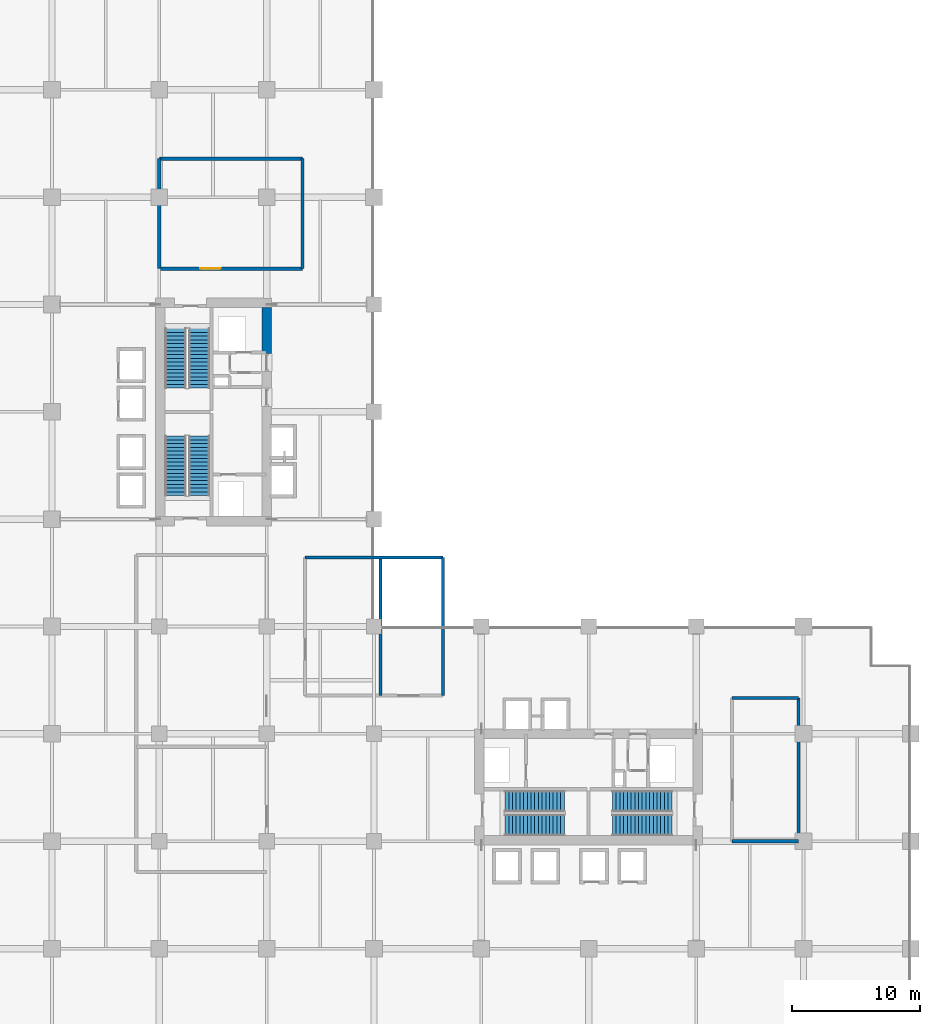
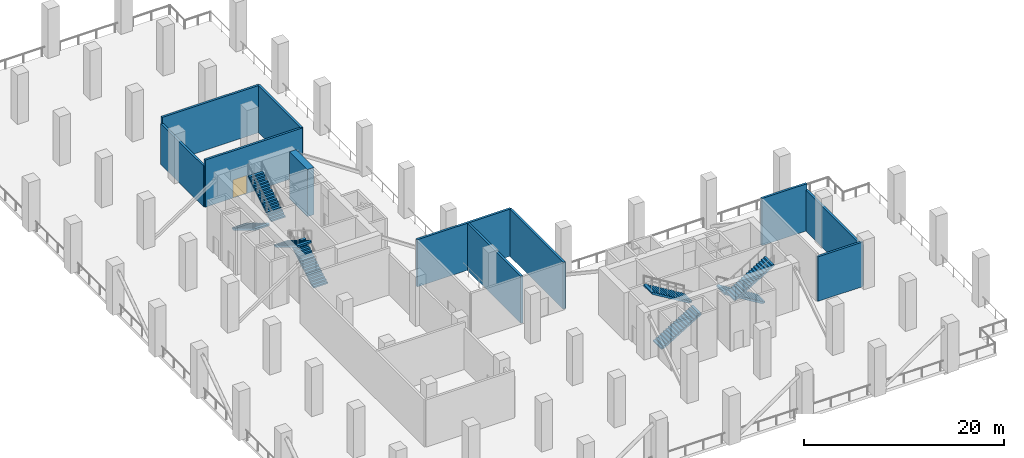
# One storey, part 14 of 19: 11 walls, 8 stair flights, 1 door, 1 opening, 4 elements without a shape of their own.
"""IFC4 building model written with IfcOpenShell, lengths in metres."""

from ifc_helpers import new_model, si_unit, direction, frame, frame_2d, origin, place, context, subcontext, project, spatial, polyline, rectangle, outline, extrude, material, layer, layer_set, type_object, element, fill, aggregate, save


model = new_model("IFC4")

# Units and contexts
model_context = context("Model", 3, precision=1e-05, world=origin(), true_north=direction((0.0, 1.0)))
body_context = subcontext(model_context, "Body", "Model", "MODEL_VIEW")
ifc_project = project(units=[si_unit("LENGTHUNIT", "METRE"), si_unit("AREAUNIT", "SQUARE_METRE"), si_unit("VOLUMEUNIT", "CUBIC_METRE"), si_unit("PLANEANGLEUNIT", "RADIAN"), si_unit("MASSUNIT", "GRAM", prefix="KILO")], contexts=[model_context])

# Site, building, storey
site_placement = place(None, origin())
site = spatial("IfcSite", under=ifc_project, at=site_placement, CompositionType="ELEMENT")
building_placement = place(site_placement, origin())
building = spatial("IfcBuilding", under=site, at=building_placement, Name="Koriwani Terraces Tower", CompositionType="ELEMENT")
storey_placement = place(building_placement, frame((0.0, 0.0, 94.0)))
storey = spatial("IfcBuildingStorey", under=building, at=storey_placement, Name="L22", CompositionType="ELEMENT", Elevation=94.0)

# Wall
ifc_material_1 = material(Name="Concrete C60/75", Category="concrete")
ifc_layer_1 = layer(ifc_material_1, 0.75, Name="Concrete C60/75")
ifc_layer_set_1 = layer_set([ifc_layer_1], Name="Concrete C60/75")
wall_type_1 = type_object("IfcWallType", Name="WALL_CORE_RC_750", PredefinedType="SHEAR", material=ifc_layer_set_1)
wall_1_placement = place(storey_placement, frame((25.199951171875, 54.949951171875, 0.0), z_axis=(0.0, 0.0, 1.0), x_axis=(0.0, 1.0, 0.0)))
element("IfcWall", 1, at=wall_1_placement, inside=storey, type_object=wall_type_1, Name="L22 West Split Core Shear Wall E3", PredefinedType="SHEAR", context=body_context, shape_type="SweptSolid", body=[
    extrude(rectangle(XDim=3.60009765625, YDim=0.75, at=frame_2d((1.800048828125, 0.0))), origin(), (0.0, 0.0, 1.0), 5.75),
])

# Wall, opening, door
ifc_material_2 = material(Name="Concrete C40/50", Category="concrete")
ifc_layer_2 = layer(ifc_material_2, 0.25, Name="Concrete C40/50")
ifc_layer_set_2 = layer_set([ifc_layer_2], Name="Concrete C40/50")
wall_type_2 = type_object("IfcWallType", Name="WALL_SHAFT_RATED_250", PredefinedType="SOLIDWALL", material=ifc_layer_set_2)
wall_2_placement = place(storey_placement, frame((16.800048828125, 61.60009765625, 0.0), z_axis=(0.0, 0.0, 1.0), x_axis=(1.0, 0.0, 0.0)))
wall_2 = element("IfcWall", 2, at=wall_2_placement, inside=storey, type_object=wall_type_2, Name="L22 Interior Wall WREF-W1-L22", PredefinedType="SOLIDWALL", context=body_context, shape_type="SweptSolid", body=[
    extrude(rectangle(XDim=11.199951171875, YDim=0.25, at=frame_2d((5.60009765625, 0.0))), origin(), (0.0, 0.0, 1.0), 5.75),
])
opening_placement = place(wall_2_placement, frame((3.199951171875, 0.0, 0.0)))
opening = element("IfcOpeningElement", 3, at=opening_placement, cuts=wall_2, Name="Opening D-08", PredefinedType="OPENING", context=body_context, shape_type="SweptSolid", body=[
    extrude(rectangle(XDim=1.60009765625, YDim=2.199951171875, at=frame_2d((0.800048828125, 1.10009765625))), frame((0.0, 0.135009765625, 0.0), z_axis=(0.0, -1.0, 0.0), x_axis=(1.0, 0.0, 0.0)), (0.0, 0.0, 1.0), 0.27001953125),
])
ifc_material_3 = material(Name="Steel ASTM A572 Grade 50", Category="steel")
door_type = type_object("IfcDoorType", Name="DOOR_PLANT_DOUBLE_1600X2200", OperationType="NOTDEFINED", PredefinedType="DOOR", material=ifc_material_3)
door_placement = place(opening_placement, origin())
door = element("IfcDoor", 4, at=door_placement, inside=storey, type_object=door_type, Name="L22 West Fire Refuge Area Door", OperationType="SINGLE_SWING_RIGHT", OverallHeight=2.199951171875, OverallWidth=1.60009765625, PredefinedType="DOOR", context=body_context, shape_type="SweptSolid", body=[
    extrude(rectangle(XDim=1.60009765625, YDim=2.199951171875, at=frame_2d((0.800048828125, 1.10009765625))), frame((0.0, 0.02490234375, 0.0), z_axis=(0.0, -1.0, 0.0), x_axis=(1.0, 0.0, 0.0)), (0.0, 0.0, 1.0), 0.050048828125),
])
fill(opening, door)

# Walls
wall_3_placement = place(storey_placement, frame((16.800048828125, 70.199951171875, 0.0), z_axis=(0.0, 0.0, 1.0), x_axis=(1.0, 0.0, 0.0)))
element("IfcWall", 5, at=wall_3_placement, inside=storey, type_object=wall_type_2, Name="L22 Interior Wall WREF-W2-L22", PredefinedType="SOLIDWALL", context=body_context, shape_type="SweptSolid", body=[
    extrude(rectangle(XDim=11.199951171875, YDim=0.25, at=frame_2d((5.60009765625, 0.0))), origin(), (0.0, 0.0, 1.0), 5.75),
])
wall_4_placement = place(storey_placement, frame((16.800048828125, 61.60009765625, 0.0), z_axis=(0.0, 0.0, 1.0), x_axis=(0.0, 1.0, 0.0)))
element("IfcWall", 6, at=wall_4_placement, inside=storey, type_object=wall_type_2, Name="L22 Interior Wall WREF-W3-L22", PredefinedType="SOLIDWALL", context=body_context, shape_type="SweptSolid", body=[
    extrude(rectangle(XDim=8.599853515625, YDim=0.25, at=frame_2d((4.2998046875, 0.0))), origin(), (0.0, 0.0, 1.0), 5.0),
])
wall_5_placement = place(storey_placement, frame((28.0, 61.60009765625, 0.0), z_axis=(0.0, 0.0, 1.0), x_axis=(0.0, 1.0, 0.0)))
element("IfcWall", 7, at=wall_5_placement, inside=storey, type_object=wall_type_2, Name="L22 Interior Wall WREF-W4-L22", PredefinedType="SOLIDWALL", context=body_context, shape_type="SweptSolid", body=[
    extrude(rectangle(XDim=8.599853515625, YDim=0.25, at=frame_2d((4.2998046875, 0.0))), origin(), (0.0, 0.0, 1.0), 5.75),
])
wall_6_placement = place(storey_placement, frame((66.800048828125, 16.800048828125, 0.0), z_axis=(0.0, 0.0, 1.0), x_axis=(0.0, 1.0, 0.0)))
element("IfcWall", 8, at=wall_6_placement, inside=storey, type_object=wall_type_2, Name="L22 Interior Wall WREF-E2-L22", PredefinedType="SOLIDWALL", context=body_context, shape_type="SweptSolid", body=[
    extrude(rectangle(XDim=11.199951171875, YDim=0.25, at=frame_2d((5.60009765625, 0.0))), origin(), (0.0, 0.0, 1.0), 5.0),
])
wall_7_placement = place(storey_placement, frame((61.60009765625, 16.800048828125, 0.0), z_axis=(0.0, 0.0, 1.0), x_axis=(1.0, 0.0, 0.0)))
element("IfcWall", 9, at=wall_7_placement, inside=storey, type_object=wall_type_2, Name="L22 Interior Wall WREF-E3-L22", PredefinedType="SOLIDWALL", context=body_context, shape_type="SweptSolid", body=[
    extrude(rectangle(XDim=5.199951171875, YDim=0.25, at=frame_2d((2.60009765625, 0.0))), origin(), (0.0, 0.0, 1.0), 5.43994140625),
])
wall_8_placement = place(storey_placement, frame((61.60009765625, 28.0, 0.0), z_axis=(0.0, 0.0, 1.0), x_axis=(1.0, 0.0, 0.0)))
element("IfcWall", 10, at=wall_8_placement, inside=storey, type_object=wall_type_2, Name="L22 Interior Wall WREF-E4-L22", PredefinedType="SOLIDWALL", context=body_context, shape_type="SweptSolid", body=[
    extrude(rectangle(XDim=5.199951171875, YDim=0.25, at=frame_2d((2.60009765625, 0.0))), origin(), (0.0, 0.0, 1.0), 5.75),
])
for number, where, z_axis, x_axis, name in (
    (11, (39.0, 28.199951171875, 0.0), (0.0, 0.0, 1.0), (0.0, 1.0, 0.0), "L22 Interior Wall WPL2-L22-E"),
    (12, (28.199951171875, 39.0, 0.0), (0.0, 0.0, 1.0), (1.0, 0.0, 0.0), "L22 Interior Wall WPL2-L22-N"),
    (13, (34.10009765625, 28.199951171875, 0.0), (0.0, 0.0, 1.0), (0.0, 1.0, 0.0), "L22 Interior Wall WPL2-L22-M"),
):
    element("IfcWall", number, at=place(storey_placement, frame(where, z_axis=z_axis, x_axis=x_axis)), inside=storey, type_object=wall_type_2, Name=name, PredefinedType="SOLIDWALL", context=body_context, shape_type="SweptSolid", body=[
        extrude(rectangle(XDim=10.800048828125, YDim=0.25, at=frame_2d((5.39990234375, 0.0))), origin(), (0.0, 0.0, 1.0), 5.75),
    ])

# Stair, stair flights
stair_type = type_object("IfcStairType", Name="STAIR_CORE_DOGLEG_1650", PredefinedType="TWO_STRAIGHT_RUN_STAIR", material=ifc_material_2)
stair_1_placement = place(storey_placement, origin())
stair_1 = element("IfcStair", 14, at=stair_1_placement, inside=storey, type_object=stair_type, Name="L22 West Core Exit Stair 1", PredefinedType="HALF_TURN_STAIR")
stair_flight_type = type_object("IfcStairFlightType", Name="STAIR_FLIGHT_RC_1650", PredefinedType="STRAIGHT", material=ifc_material_2)
stair_flight_1_placement = place(storey_placement, frame((19.925048828125, 43.85009765625, 0.0), z_axis=(0.0, 0.0, 1.0), x_axis=(0.0, 1.0, 0.0)))
stair_flight_1 = element("IfcStairFlight", 15, at=stair_flight_1_placement, type_object=stair_flight_type, Name="ST-W1 flight 1", NumberOfRisers=17, NumberOfTreads=16, PredefinedType="STRAIGHT", RiserHeight=0.176470588, TreadLength=0.29, context=body_context, shape_type="SweptSolid", body=[
    extrude(outline(polyline([(0.0, 0.0), (0.0, 0.176513671875), (0.2900390625, 0.176513671875), (0.2900390625, 0.35302734375), (0.580078125, 0.35302734375), (0.580078125, 0.529296875), (0.8701171875, 0.529296875), (0.8701171875, 0.705810546875), (1.159912109375, 0.705810546875), (1.159912109375, 0.88232421875), (1.449951171875, 0.88232421875), (1.449951171875, 1.058837890625), (1.739990234375, 1.058837890625), (1.739990234375, 1.2353515625), (2.030029296875, 1.2353515625), (2.030029296875, 1.411865234375), (2.320068359375, 1.411865234375), (2.320068359375, 1.588134765625), (2.610107421875, 1.588134765625), (2.610107421875, 1.7646484375), (2.89990234375, 1.7646484375), (2.89990234375, 1.941162109375), (3.18994140625, 1.941162109375), (3.18994140625, 2.11767578125), (3.47998046875, 2.11767578125), (3.47998046875, 2.294189453125), (3.77001953125, 2.294189453125), (3.77001953125, 2.470703125), (4.06005859375, 2.470703125), (4.06005859375, 2.64697265625), (4.35009765625, 2.64697265625), (4.35009765625, 2.823486328125), (4.639892578125, 2.823486328125), (4.639892578125, 3.0), (4.639892578125, 2.61279296875), (0.34619140625, 0.0), (0.0, 0.0)])), frame((0.0, 0.824951171875, 0.0), z_axis=(0.0, -1.0, 0.0), x_axis=(1.0, 0.0, 0.0)), (0.0, 0.0, 1.0), 1.64990234375),
])
stair_flight_2_placement = place(storey_placement, frame((18.074951171875, 48.489990234375, 3.0), z_axis=(0.0, 0.0, 1.0), x_axis=(0.0, -1.0, 0.0)))
stair_flight_2 = element("IfcStairFlight", 16, at=stair_flight_2_placement, type_object=stair_flight_type, Name="ST-W1 flight 2", NumberOfRisers=17, NumberOfTreads=16, PredefinedType="STRAIGHT", RiserHeight=0.176470588, TreadLength=0.29, context=body_context, shape_type="SweptSolid", body=[
    extrude(outline(polyline([(0.0, 0.0), (0.0, 0.176513671875), (0.2900390625, 0.176513671875), (0.2900390625, 0.35302734375), (0.580078125, 0.35302734375), (0.580078125, 0.529296875), (0.8701171875, 0.529296875), (0.8701171875, 0.705810546875), (1.159912109375, 0.705810546875), (1.159912109375, 0.88232421875), (1.449951171875, 0.88232421875), (1.449951171875, 1.058837890625), (1.739990234375, 1.058837890625), (1.739990234375, 1.2353515625), (2.030029296875, 1.2353515625), (2.030029296875, 1.411865234375), (2.320068359375, 1.411865234375), (2.320068359375, 1.588134765625), (2.610107421875, 1.588134765625), (2.610107421875, 1.7646484375), (2.89990234375, 1.7646484375), (2.89990234375, 1.941162109375), (3.18994140625, 1.941162109375), (3.18994140625, 2.11767578125), (3.47998046875, 2.11767578125), (3.47998046875, 2.294189453125), (3.77001953125, 2.294189453125), (3.77001953125, 2.470703125), (4.06005859375, 2.470703125), (4.06005859375, 2.64697265625), (4.35009765625, 2.64697265625), (4.35009765625, 2.823486328125), (4.639892578125, 2.823486328125), (4.639892578125, 3.0), (4.639892578125, 2.61279296875), (0.34619140625, 0.0), (0.0, 0.0)])), frame((0.0, 0.824951171875, 0.0), z_axis=(0.0, -1.0, 0.0), x_axis=(1.0, 0.0, 0.0)), (0.0, 0.0, 1.0), 1.64990234375),
])
aggregate(stair_1, [stair_flight_1, stair_flight_2])

stair_2_placement = place(storey_placement, origin())
stair_2 = element("IfcStair", 17, at=stair_2_placement, inside=storey, type_object=stair_type, Name="L22 West Core Exit Stair 2", PredefinedType="HALF_TURN_STAIR")
stair_flight_3_placement = place(storey_placement, frame((18.074951171875, 56.89990234375, 0.0), z_axis=(0.0, 0.0, 1.0), x_axis=(0.0, -1.0, 0.0)))
stair_flight_3 = element("IfcStairFlight", 18, at=stair_flight_3_placement, type_object=stair_flight_type, Name="ST-W2 flight 1", NumberOfRisers=17, NumberOfTreads=16, PredefinedType="STRAIGHT", RiserHeight=0.176470588, TreadLength=0.29, context=body_context, shape_type="SweptSolid", body=[
    extrude(outline(polyline([(0.0, 0.0), (0.0, 0.176513671875), (0.2900390625, 0.176513671875), (0.2900390625, 0.35302734375), (0.580078125, 0.35302734375), (0.580078125, 0.529296875), (0.8701171875, 0.529296875), (0.8701171875, 0.705810546875), (1.159912109375, 0.705810546875), (1.159912109375, 0.88232421875), (1.449951171875, 0.88232421875), (1.449951171875, 1.058837890625), (1.739990234375, 1.058837890625), (1.739990234375, 1.2353515625), (2.030029296875, 1.2353515625), (2.030029296875, 1.411865234375), (2.320068359375, 1.411865234375), (2.320068359375, 1.588134765625), (2.610107421875, 1.588134765625), (2.610107421875, 1.7646484375), (2.89990234375, 1.7646484375), (2.89990234375, 1.941162109375), (3.18994140625, 1.941162109375), (3.18994140625, 2.11767578125), (3.47998046875, 2.11767578125), (3.47998046875, 2.294189453125), (3.77001953125, 2.294189453125), (3.77001953125, 2.470703125), (4.06005859375, 2.470703125), (4.06005859375, 2.64697265625), (4.35009765625, 2.64697265625), (4.35009765625, 2.823486328125), (4.639892578125, 2.823486328125), (4.639892578125, 3.0), (4.639892578125, 2.61279296875), (0.34619140625, 0.0), (0.0, 0.0)])), frame((0.0, 0.824951171875, 0.0), z_axis=(0.0, -1.0, 0.0), x_axis=(1.0, 0.0, 0.0)), (0.0, 0.0, 1.0), 1.64990234375),
])
stair_flight_4_placement = place(storey_placement, frame((19.925048828125, 52.260009765625, 3.0), z_axis=(0.0, 0.0, 1.0), x_axis=(0.0, 1.0, 0.0)))
stair_flight_4 = element("IfcStairFlight", 19, at=stair_flight_4_placement, type_object=stair_flight_type, Name="ST-W2 flight 2", NumberOfRisers=17, NumberOfTreads=16, PredefinedType="STRAIGHT", RiserHeight=0.176470588, TreadLength=0.29, context=body_context, shape_type="SweptSolid", body=[
    extrude(outline(polyline([(0.0, 0.0), (0.0, 0.176513671875), (0.2900390625, 0.176513671875), (0.2900390625, 0.35302734375), (0.580078125, 0.35302734375), (0.580078125, 0.529296875), (0.8701171875, 0.529296875), (0.8701171875, 0.705810546875), (1.159912109375, 0.705810546875), (1.159912109375, 0.88232421875), (1.449951171875, 0.88232421875), (1.449951171875, 1.058837890625), (1.739990234375, 1.058837890625), (1.739990234375, 1.2353515625), (2.030029296875, 1.2353515625), (2.030029296875, 1.411865234375), (2.320068359375, 1.411865234375), (2.320068359375, 1.588134765625), (2.610107421875, 1.588134765625), (2.610107421875, 1.7646484375), (2.89990234375, 1.7646484375), (2.89990234375, 1.941162109375), (3.18994140625, 1.941162109375), (3.18994140625, 2.11767578125), (3.47998046875, 2.11767578125), (3.47998046875, 2.294189453125), (3.77001953125, 2.294189453125), (3.77001953125, 2.470703125), (4.06005859375, 2.470703125), (4.06005859375, 2.64697265625), (4.35009765625, 2.64697265625), (4.35009765625, 2.823486328125), (4.639892578125, 2.823486328125), (4.639892578125, 3.0), (4.639892578125, 2.61279296875), (0.34619140625, 0.0), (0.0, 0.0)])), frame((0.0, 0.824951171875, 0.0), z_axis=(0.0, -1.0, 0.0), x_axis=(1.0, 0.0, 0.0)), (0.0, 0.0, 1.0), 1.64990234375),
])
aggregate(stair_2, [stair_flight_3, stair_flight_4])

stair_3_placement = place(storey_placement, origin())
stair_3 = element("IfcStair", 20, at=stair_3_placement, inside=storey, type_object=stair_type, Name="L22 East Core Exit Stair 1", PredefinedType="HALF_TURN_STAIR")
stair_flight_5_placement = place(storey_placement, frame((43.85009765625, 18.074951171875, 0.0), z_axis=(0.0, 0.0, 1.0), x_axis=(1.0, 0.0, 0.0)))
stair_flight_5 = element("IfcStairFlight", 21, at=stair_flight_5_placement, type_object=stair_flight_type, Name="ST-E1 flight 1", NumberOfRisers=17, NumberOfTreads=16, PredefinedType="STRAIGHT", RiserHeight=0.176470588, TreadLength=0.29, context=body_context, shape_type="SweptSolid", body=[
    extrude(outline(polyline([(0.0, 0.0), (0.0, 0.176513671875), (0.2900390625, 0.176513671875), (0.2900390625, 0.35302734375), (0.580078125, 0.35302734375), (0.580078125, 0.529296875), (0.8701171875, 0.529296875), (0.8701171875, 0.705810546875), (1.159912109375, 0.705810546875), (1.159912109375, 0.88232421875), (1.449951171875, 0.88232421875), (1.449951171875, 1.058837890625), (1.739990234375, 1.058837890625), (1.739990234375, 1.2353515625), (2.030029296875, 1.2353515625), (2.030029296875, 1.411865234375), (2.320068359375, 1.411865234375), (2.320068359375, 1.588134765625), (2.610107421875, 1.588134765625), (2.610107421875, 1.7646484375), (2.89990234375, 1.7646484375), (2.89990234375, 1.941162109375), (3.18994140625, 1.941162109375), (3.18994140625, 2.11767578125), (3.47998046875, 2.11767578125), (3.47998046875, 2.294189453125), (3.77001953125, 2.294189453125), (3.77001953125, 2.470703125), (4.06005859375, 2.470703125), (4.06005859375, 2.64697265625), (4.35009765625, 2.64697265625), (4.35009765625, 2.823486328125), (4.639892578125, 2.823486328125), (4.639892578125, 3.0), (4.639892578125, 2.61279296875), (0.34619140625, 0.0), (0.0, 0.0)])), frame((0.0, 0.824951171875, 0.0), z_axis=(0.0, -1.0, 0.0), x_axis=(1.0, 0.0, 0.0)), (0.0, 0.0, 1.0), 1.64990234375),
])
stair_flight_6_placement = place(storey_placement, frame((48.489990234375, 19.925048828125, 3.0), z_axis=(0.0, 0.0, 1.0), x_axis=(-1.0, 0.0, 0.0)))
stair_flight_6 = element("IfcStairFlight", 22, at=stair_flight_6_placement, type_object=stair_flight_type, Name="ST-E1 flight 2", NumberOfRisers=17, NumberOfTreads=16, PredefinedType="STRAIGHT", RiserHeight=0.176470588, TreadLength=0.29, context=body_context, shape_type="SweptSolid", body=[
    extrude(outline(polyline([(0.0, 0.0), (0.0, 0.176513671875), (0.2900390625, 0.176513671875), (0.2900390625, 0.35302734375), (0.580078125, 0.35302734375), (0.580078125, 0.529296875), (0.8701171875, 0.529296875), (0.8701171875, 0.705810546875), (1.159912109375, 0.705810546875), (1.159912109375, 0.88232421875), (1.449951171875, 0.88232421875), (1.449951171875, 1.058837890625), (1.739990234375, 1.058837890625), (1.739990234375, 1.2353515625), (2.030029296875, 1.2353515625), (2.030029296875, 1.411865234375), (2.320068359375, 1.411865234375), (2.320068359375, 1.588134765625), (2.610107421875, 1.588134765625), (2.610107421875, 1.7646484375), (2.89990234375, 1.7646484375), (2.89990234375, 1.941162109375), (3.18994140625, 1.941162109375), (3.18994140625, 2.11767578125), (3.47998046875, 2.11767578125), (3.47998046875, 2.294189453125), (3.77001953125, 2.294189453125), (3.77001953125, 2.470703125), (4.06005859375, 2.470703125), (4.06005859375, 2.64697265625), (4.35009765625, 2.64697265625), (4.35009765625, 2.823486328125), (4.639892578125, 2.823486328125), (4.639892578125, 3.0), (4.639892578125, 2.61279296875), (0.34619140625, 0.0), (0.0, 0.0)])), frame((0.0, 0.824951171875, 0.0), z_axis=(0.0, -1.0, 0.0), x_axis=(1.0, 0.0, 0.0)), (0.0, 0.0, 1.0), 1.64990234375),
])
aggregate(stair_3, [stair_flight_5, stair_flight_6])

stair_4_placement = place(storey_placement, origin())
stair_4 = element("IfcStair", 23, at=stair_4_placement, inside=storey, type_object=stair_type, Name="L22 East Core Exit Stair 2", PredefinedType="HALF_TURN_STAIR")
stair_flight_7_placement = place(storey_placement, frame((56.89990234375, 19.925048828125, 0.0), z_axis=(0.0, 0.0, 1.0), x_axis=(-1.0, 0.0, 0.0)))
stair_flight_7 = element("IfcStairFlight", 24, at=stair_flight_7_placement, type_object=stair_flight_type, Name="ST-E2 flight 1", NumberOfRisers=17, NumberOfTreads=16, PredefinedType="STRAIGHT", RiserHeight=0.176470588, TreadLength=0.29, context=body_context, shape_type="SweptSolid", body=[
    extrude(outline(polyline([(0.0, 0.0), (0.0, 0.176513671875), (0.2900390625, 0.176513671875), (0.2900390625, 0.35302734375), (0.580078125, 0.35302734375), (0.580078125, 0.529296875), (0.8701171875, 0.529296875), (0.8701171875, 0.705810546875), (1.159912109375, 0.705810546875), (1.159912109375, 0.88232421875), (1.449951171875, 0.88232421875), (1.449951171875, 1.058837890625), (1.739990234375, 1.058837890625), (1.739990234375, 1.2353515625), (2.030029296875, 1.2353515625), (2.030029296875, 1.411865234375), (2.320068359375, 1.411865234375), (2.320068359375, 1.588134765625), (2.610107421875, 1.588134765625), (2.610107421875, 1.7646484375), (2.89990234375, 1.7646484375), (2.89990234375, 1.941162109375), (3.18994140625, 1.941162109375), (3.18994140625, 2.11767578125), (3.47998046875, 2.11767578125), (3.47998046875, 2.294189453125), (3.77001953125, 2.294189453125), (3.77001953125, 2.470703125), (4.06005859375, 2.470703125), (4.06005859375, 2.64697265625), (4.35009765625, 2.64697265625), (4.35009765625, 2.823486328125), (4.639892578125, 2.823486328125), (4.639892578125, 3.0), (4.639892578125, 2.61279296875), (0.34619140625, 0.0), (0.0, 0.0)])), frame((0.0, 0.824951171875, 0.0), z_axis=(0.0, -1.0, 0.0), x_axis=(1.0, 0.0, 0.0)), (0.0, 0.0, 1.0), 1.64990234375),
])
stair_flight_8_placement = place(storey_placement, frame((52.260009765625, 18.074951171875, 3.0), z_axis=(0.0, 0.0, 1.0), x_axis=(1.0, 0.0, 0.0)))
stair_flight_8 = element("IfcStairFlight", 25, at=stair_flight_8_placement, type_object=stair_flight_type, Name="ST-E2 flight 2", NumberOfRisers=17, NumberOfTreads=16, PredefinedType="STRAIGHT", RiserHeight=0.176470588, TreadLength=0.29, context=body_context, shape_type="SweptSolid", body=[
    extrude(outline(polyline([(0.0, 0.0), (0.0, 0.176513671875), (0.2900390625, 0.176513671875), (0.2900390625, 0.35302734375), (0.580078125, 0.35302734375), (0.580078125, 0.529296875), (0.8701171875, 0.529296875), (0.8701171875, 0.705810546875), (1.159912109375, 0.705810546875), (1.159912109375, 0.88232421875), (1.449951171875, 0.88232421875), (1.449951171875, 1.058837890625), (1.739990234375, 1.058837890625), (1.739990234375, 1.2353515625), (2.030029296875, 1.2353515625), (2.030029296875, 1.411865234375), (2.320068359375, 1.411865234375), (2.320068359375, 1.588134765625), (2.610107421875, 1.588134765625), (2.610107421875, 1.7646484375), (2.89990234375, 1.7646484375), (2.89990234375, 1.941162109375), (3.18994140625, 1.941162109375), (3.18994140625, 2.11767578125), (3.47998046875, 2.11767578125), (3.47998046875, 2.294189453125), (3.77001953125, 2.294189453125), (3.77001953125, 2.470703125), (4.06005859375, 2.470703125), (4.06005859375, 2.64697265625), (4.35009765625, 2.64697265625), (4.35009765625, 2.823486328125), (4.639892578125, 2.823486328125), (4.639892578125, 3.0), (4.639892578125, 2.61279296875), (0.34619140625, 0.0), (0.0, 0.0)])), frame((0.0, 0.824951171875, 0.0), z_axis=(0.0, -1.0, 0.0), x_axis=(1.0, 0.0, 0.0)), (0.0, 0.0, 1.0), 1.64990234375),
])
aggregate(stair_4, [stair_flight_7, stair_flight_8])

save(model, "model.ifc")
